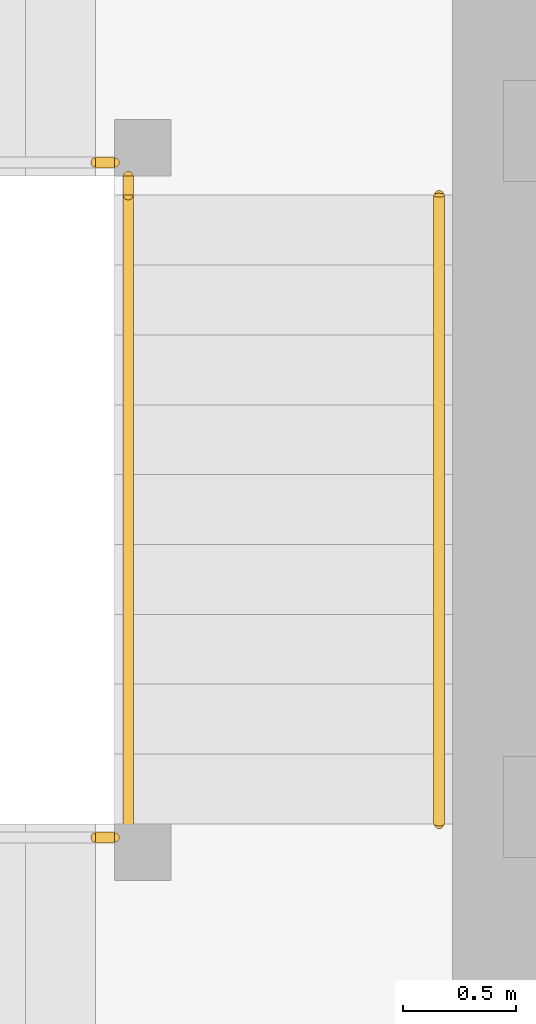
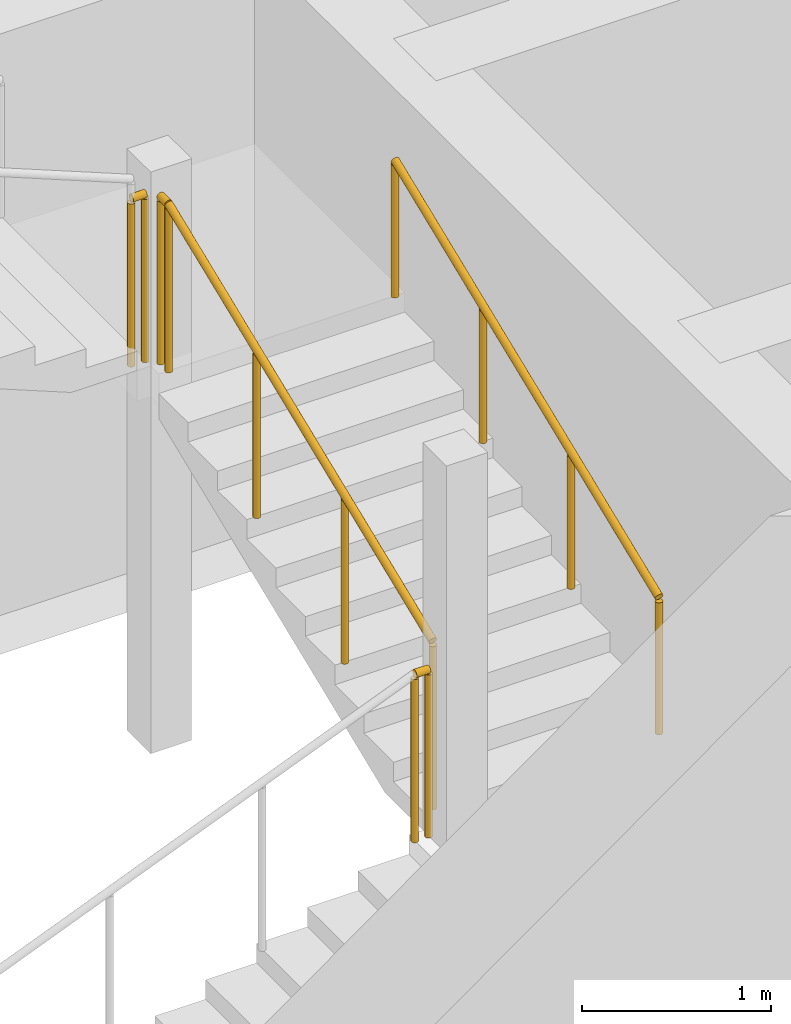
# One storey, part 36 of 40: 5 railings.
"""IFC4 building model written with IfcOpenShell, lengths in metres."""

from ifc_helpers import new_model, si_unit, direction, frame, origin, origin_2d, place, context, subcontext, project, spatial, circle, extrude, material, type_object, element, save


model = new_model("IFC4")

# Units and contexts
model_context = context("Model", 3, precision=1e-05, world=origin(), true_north=direction((0.0, 1.0)))
body_context = subcontext(model_context, "Body", "Model", "MODEL_VIEW")
ifc_project = project(units=[si_unit("LENGTHUNIT", "METRE"), si_unit("AREAUNIT", "SQUARE_METRE"), si_unit("VOLUMEUNIT", "CUBIC_METRE"), si_unit("PLANEANGLEUNIT", "RADIAN"), si_unit("MASSUNIT", "GRAM", prefix="KILO")], contexts=[model_context])

# Site, building, storey
site_placement = place(None, origin())
site = spatial("IfcSite", under=ifc_project, at=site_placement, CompositionType="ELEMENT")
building_placement = place(site_placement, origin())
building = spatial("IfcBuilding", under=site, at=building_placement, Name="Rekha Terrace Tower", CompositionType="ELEMENT")
storey_placement = place(building_placement, frame((0.0, 0.0, 136.550048828125)))
storey = spatial("IfcBuildingStorey", under=building, at=storey_placement, Name="L34", CompositionType="ELEMENT", Elevation=136.550048828125)

# Railings
ifc_material_1 = material(Name="Stainless steel balustrade", Category="steel")
railing_type_1 = type_object("IfcRailingType", Name="GR1 1100 stair guard", PredefinedType="GUARDRAIL", material=ifc_material_1)
railing_1_placement = place(storey_placement, frame((30.135009765625, 41.324951171875, 1.375)))
element("IfcRailing", 1, at=railing_1_placement, inside=storey, type_object=railing_type_1, Name="Guard ST4 L34 flight 2", PredefinedType="GUARDRAIL", context=body_context, shape_type="SweptSolid", body=[
    extrude(circle(Radius=0.02392578125, at=origin_2d()), frame((0.0, 0.0, 1.076171875), z_axis=(0.0, 0.927443287984, 0.373963831907), x_axis=(-1.0, 0.0, 0.0)), (0.0, 0.0, 1.0), 3.00830078125),
    extrude(circle(Radius=0.02099609375, at=origin_2d()), origin(), (0.0, 0.0, 1.0), 1.052001953125),
    extrude(circle(Radius=0.02099609375, at=origin_2d()), frame((0.0, 0.929931640625, 0.375)), (0.0, 0.0, 1.0), 1.052001953125),
    extrude(circle(Radius=0.02099609375, at=origin_2d()), frame((0.0, 1.860107421875, 0.75)), (0.0, 0.0, 1.0), 1.052001953125),
    extrude(circle(Radius=0.02099609375, at=origin_2d()), frame((0.0, 2.7900390625, 1.125)), (0.0, 0.0, 1.0), 1.052001953125),
])
railing_2_placement = place(storey_placement, frame((29.989990234375, 41.264892578125, 1.25)))
element("IfcRailing", 2, at=railing_2_placement, inside=storey, type_object=railing_type_1, Name="Guard ST4 L34 landing 1", PredefinedType="GUARDRAIL", context=body_context, shape_type="SweptSolid", body=[
    extrude(circle(Radius=0.02392578125, at=origin_2d()), frame((0.0, 0.0, 1.076171875), z_axis=(1.0, 0.0, 0.0), x_axis=(0.0, 1.0, 0.0)), (0.0, 0.0, 1.0), 0.0849609375),
    extrude(circle(Radius=0.02099609375, at=origin_2d()), origin(), (0.0, 0.0, 1.0), 1.052001953125),
    extrude(circle(Radius=0.02099609375, at=origin_2d()), frame((0.0849609375, 0.0, 0.0)), (0.0, 0.0, 1.0), 1.052001953125),
])
railing_3_placement = place(storey_placement, frame((30.135009765625, 44.114990234375, 2.5)))
element("IfcRailing", 3, at=railing_3_placement, inside=storey, type_object=railing_type_1, Name="Guard ST4 L34 landing 2", PredefinedType="GUARDRAIL", context=body_context, shape_type="SweptSolid", body=[
    extrude(circle(Radius=0.02392578125, at=origin_2d()), frame((0.0, 0.0, 1.076171875), z_axis=(0.0, 1.0, 0.0), x_axis=(-1.0, 0.0, 0.0)), (0.0, 0.0, 1.0), 0.0849609375),
    extrude(circle(Radius=0.02099609375, at=origin_2d()), origin(), (0.0, 0.0, 1.0), 1.052001953125),
    extrude(circle(Radius=0.02099609375, at=origin_2d()), frame((0.0, 0.0849609375, 0.0)), (0.0, 0.0, 1.0), 1.052001953125),
])
railing_4_placement = place(storey_placement, frame((29.989990234375, 44.260009765625, 2.5)))
element("IfcRailing", 4, at=railing_4_placement, inside=storey, type_object=railing_type_1, Name="Guard ST4 L34 landing 3", PredefinedType="GUARDRAIL", context=body_context, shape_type="SweptSolid", body=[
    extrude(circle(Radius=0.02392578125, at=origin_2d()), frame((0.0, 0.0, 1.076171875), z_axis=(1.0, 0.0, 0.0), x_axis=(0.0, 1.0, 0.0)), (0.0, 0.0, 1.0), 0.0849609375),
    extrude(circle(Radius=0.02099609375, at=origin_2d()), origin(), (0.0, 0.0, 1.0), 1.052001953125),
    extrude(circle(Radius=0.02099609375, at=origin_2d()), frame((0.0849609375, 0.0, 0.0)), (0.0, 0.0, 1.0), 1.052001953125),
])
ifc_material_2 = material(Name="Stainless steel tube", Category="steel")
railing_type_2 = type_object("IfcRailingType", Name="HR1 900 stair handrail", PredefinedType="HANDRAIL", material=ifc_material_2)
railing_5_placement = place(storey_placement, frame((31.514892578125, 41.324951171875, 1.375)))
element("IfcRailing", 5, at=railing_5_placement, inside=storey, type_object=railing_type_2, Name="Handrail ST4 L34 flight 2", PredefinedType="HANDRAIL", context=body_context, shape_type="SweptSolid", body=[
    extrude(circle(Radius=0.02392578125, at=origin_2d()), frame((0.0, 0.0, 0.8759765625), z_axis=(0.0, 0.927443287984, 0.373963831907), x_axis=(-1.0, 0.0, 0.0)), (0.0, 0.0, 1.0), 3.00830078125),
    extrude(circle(Radius=0.02099609375, at=origin_2d()), origin(), (0.0, 0.0, 1.0), 0.851806640625),
    extrude(circle(Radius=0.02099609375, at=origin_2d()), frame((0.0, 0.929931640625, 0.375)), (0.0, 0.0, 1.0), 0.851806640625),
    extrude(circle(Radius=0.02099609375, at=origin_2d()), frame((0.0, 1.860107421875, 0.75)), (0.0, 0.0, 1.0), 0.851806640625),
    extrude(circle(Radius=0.02099609375, at=origin_2d()), frame((0.0, 2.7900390625, 1.125)), (0.0, 0.0, 1.0), 0.851806640625),
])

save(model, "model.ifc")
